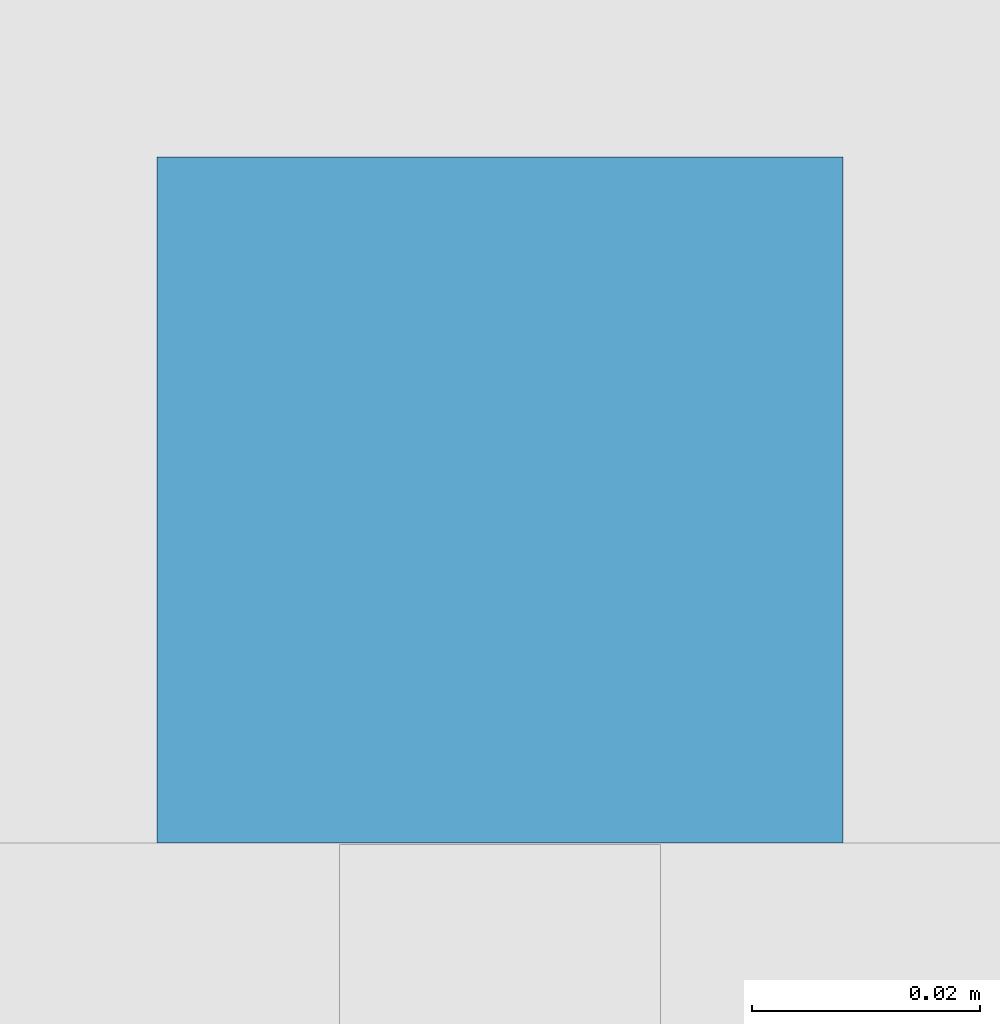
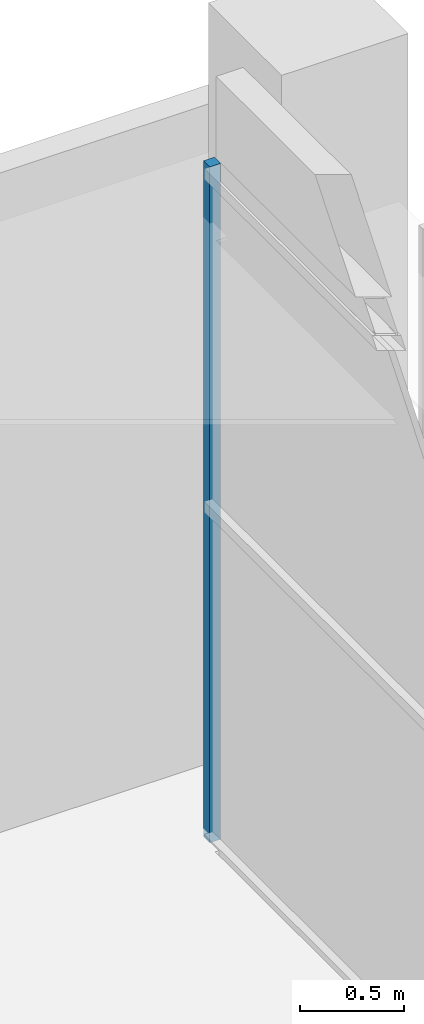
# One storey, part 36 of 73: 1 member, 1 element without a shape of its own.
"""IFC4 building model written with IfcOpenShell, lengths in metres."""

from ifc_helpers import new_model, si_unit, direction, frame, origin, origin_2d, place, context, subcontext, project, spatial, rectangle, extrude, material, material_profile, profile_set, type_object, element, aggregate, save


model = new_model("IFC4")

# Units and contexts
model_context = context("Model", 3, precision=1e-05, world=origin(), true_north=direction((0.0, 1.0)))
body_context = subcontext(model_context, "Body", "Model", "MODEL_VIEW")
ifc_project = project(units=[si_unit("LENGTHUNIT", "METRE"), si_unit("AREAUNIT", "SQUARE_METRE"), si_unit("VOLUMEUNIT", "CUBIC_METRE"), si_unit("PLANEANGLEUNIT", "RADIAN"), si_unit("MASSUNIT", "GRAM", prefix="KILO")], contexts=[model_context])

# Site, building, storey
site_placement = place(None, origin())
site = spatial("IfcSite", under=ifc_project, at=site_placement, CompositionType="ELEMENT")
building_placement = place(site_placement, origin())
building = spatial("IfcBuilding", under=site, at=building_placement, Name="Lantern Court Media Centre", CompositionType="ELEMENT")
storey_placement = place(building_placement, frame((0.0, 0.0, 24.0)))
storey = spatial("IfcBuildingStorey", under=building, at=storey_placement, Name="L05", CompositionType="ELEMENT", Elevation=24.0)

# Curtain wall, member
ifc_material_1 = material(Name="Curtain wall bay 3000")
curtain_wall_type = type_object("IfcCurtainWallType", Name="Curtain wall bay 3000", PredefinedType="NOTDEFINED", material=ifc_material_1)
curtain_wall_placement = place(storey_placement, origin())
curtain_wall = element("IfcCurtainWall", 1, at=curtain_wall_placement, inside=storey, type_object=curtain_wall_type, Name="Curtain wall E outer L05", PredefinedType="NOTDEFINED")
ifc_material_2 = material(Name="Anodised aluminium", Category="aluminium")
ifc_material_profile = material_profile(ifc_material_2, rectangle(XDim=0.06005859375, YDim=0.06005859375, at=origin_2d()), Name="AL 60x60")
ifc_profile_set = profile_set([ifc_material_profile], Name="Anodised aluminium")
member_type = type_object("IfcMemberType", Name="Curtain wall mullion 60x60", PredefinedType="MULLION", material=ifc_profile_set)
member_placement = place(storey_placement, frame((99.85009765625, 95.27001953125, 0.0), z_axis=(0.0, 0.0, 1.0), x_axis=(-1.0, 0.0, 0.0)))
member = element("IfcMember", 2, at=member_placement, type_object=member_type, Name="CW1 mullion 11", PredefinedType="MULLION", context=body_context, shape_type="SweptSolid", body=[
    extrude(rectangle(XDim=0.06005859375, YDim=0.06005859375, at=origin_2d()), origin(), (0.0, 0.0, 1.0), 3.949951171875),
])
aggregate(curtain_wall, [member])

save(model, "model.ifc")
